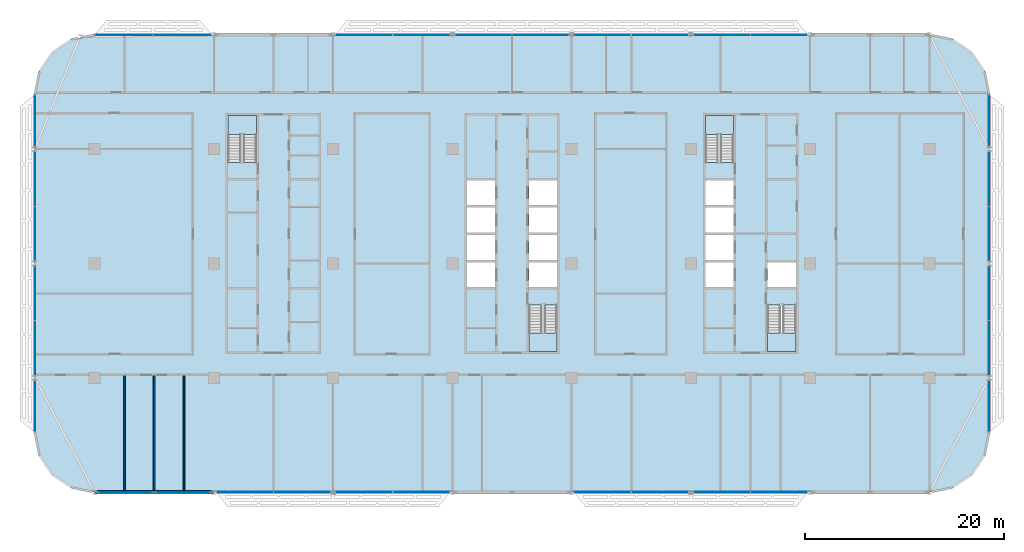
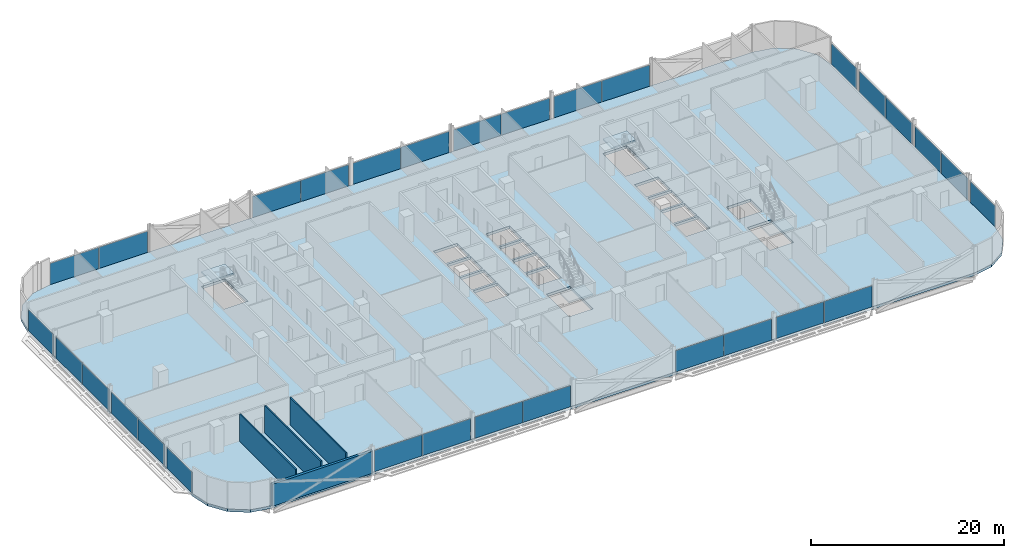
# One storey, part 10 of 27: 30 plates, 5 slabs, 4 walls, 21 elements without a shape of their own.
"""IFC4 building model written with IfcOpenShell, lengths in metres."""

import ifcopenshell
import ifcopenshell.guid

model = None  # the IFC model being written
_history = None  # IfcOwnerHistory: only IFC2X3 demands one
_inside = {}  # id of a spatial element -> (the spatial element, [elements in it])
_under = {}  # id of a project, library or spatial element -> (it, [spatial elements below it])
_declared = {}  # id of a project -> (the project, [libraries it declares])
_typed = {}  # id of a type object -> (the type object, [elements of that type])
_made_of = {}  # id of a material, layer set ... -> (it, [elements and type objects made of it])


def new_model(schema):
    """Start an empty IFC model of exactly this schema.

    Asked for "IFC4X3", IfcOpenShell would pick the latest addendum, in which some entities
    have other attributes; the version numbers below select the first issue.
    IFC2X3 requires an IfcOwnerHistory on every rooted entity: one is made here for all.
    """
    global model, _history
    if schema == "IFC4X3":
        model = ifcopenshell.file(schema_version=(4, 3, 0, 0))
    else:
        model = ifcopenshell.file(schema=schema)
    _inside.clear()
    _under.clear()
    _declared.clear()
    _typed.clear()
    _made_of.clear()
    _history = None
    if model.schema == "IFC2X3":
        org = make("IfcOrganization", Name="unknown")
        user = make(
            "IfcPersonAndOrganization",
            ThePerson=make("IfcPerson", FamilyName="unknown"),
            TheOrganization=org,
        )
        app = make(
            "IfcApplication",
            ApplicationDeveloper=org,
            Version="unknown",
            ApplicationFullName="unknown",
            ApplicationIdentifier="unknown",
        )
        _history = make(
            "IfcOwnerHistory",
            OwningUser=user,
            OwningApplication=app,
            ChangeAction="ADDED",
            CreationDate=0,
        )
    return model


def make(cls, **values):
    """One entity of the class cls with the attributes given. An attribute that is None is left unset."""
    return model.create_entity(
        cls, **{name: value for name, value in values.items() if value is not None}
    )


def rooted(cls, **values):
    """An entity with a GlobalId (a new one), such as an element, a storey or a relation."""
    return make(cls, GlobalId=ifcopenshell.guid.new(), OwnerHistory=_history, **values)


def si_unit(unit_type, name, prefix=None):
    """IfcSIUnit, for example si_unit("LENGTHUNIT", "METRE", prefix="MILLI")."""
    return make("IfcSIUnit", UnitType=unit_type, Prefix=prefix, Name=name)


def assignment(units):
    """IfcUnitAssignment: the units of a project."""
    return None if units is None else make("IfcUnitAssignment", Units=units)


def point(xyz):
    """IfcCartesianPoint."""
    return None if xyz is None else make("IfcCartesianPoint", Coordinates=xyz)


def direction(xyz):
    """IfcDirection."""
    return None if xyz is None else make("IfcDirection", DirectionRatios=xyz)


def frame(location, z_axis=None, x_axis=None):
    """IfcAxis2Placement3D, a coordinate frame: its origin and axes. An axis left out is left unset."""
    return make(
        "IfcAxis2Placement3D",
        Location=point(location),
        Axis=direction(z_axis),
        RefDirection=direction(x_axis),
    )


def frame_2d(location, x_axis=None):
    """IfcAxis2Placement2D, a coordinate frame in the plane: its origin and x axis."""
    return make(
        "IfcAxis2Placement2D", Location=point(location), RefDirection=direction(x_axis)
    )


def origin():
    """The frame at (0, 0, 0) with its axes left unset."""
    return frame((0.0, 0.0, 0.0))


def origin_2d():
    """The frame at (0, 0) in the plane with its x axis left unset."""
    return frame_2d((0.0, 0.0))


def place(relative_to, where):
    """IfcLocalPlacement: puts the frame where relative to a parent placement (None: the world)."""
    return make(
        "IfcLocalPlacement", PlacementRelTo=relative_to, RelativePlacement=where
    )


def context(
    kind, dimensions, precision=None, world=None, true_north=None, identifier=None
):
    """IfcGeometricRepresentationContext, for example the 3D "Model" context."""
    return make(
        "IfcGeometricRepresentationContext",
        ContextIdentifier=identifier,
        ContextType=kind,
        CoordinateSpaceDimension=dimensions,
        Precision=precision,
        WorldCoordinateSystem=world,
        TrueNorth=true_north,
    )


def subcontext(parent, identifier, kind, view, scale=None):
    """IfcGeometricRepresentationSubContext, for example "Body" below "Model"."""
    return make(
        "IfcGeometricRepresentationSubContext",
        ContextIdentifier=identifier,
        ContextType=kind,
        ParentContext=parent,
        TargetScale=scale,
        TargetView=view,
    )


def project(units=None, contexts=None):
    """IfcProject with its units and contexts."""
    return rooted(
        "IfcProject",
        Name="project",
        RepresentationContexts=contexts,
        UnitsInContext=assignment(units),
    )


def spatial(cls, under=None, at=None, **own):
    """A site, building, storey or space (cls), placed at a placement, below another one or the project."""
    s = rooted(cls, ObjectPlacement=at, **own)
    if under is not None:
        _under.setdefault(under.id(), (under, []))[1].append(s)
    return s


def polyline(points):
    """IfcPolyline through the points."""
    return make("IfcPolyline", Points=[point(p) for p in points])


def profile(cls, at=None, kind="AREA", **sizes):
    """A parametric profile (cls). Its sizes go by their IFC names, for example OverallWidth=200.0."""
    return make(cls, ProfileType=kind, Position=at, **sizes)


def rectangle(**sizes):
    """IfcRectangleProfileDef."""
    return profile("IfcRectangleProfileDef", **sizes)


def outline(outer, holes=None, kind="AREA"):
    """IfcArbitraryClosedProfileDef: a profile drawn as a closed curve; with holes, ...WithVoids."""
    if holes is None:
        return make("IfcArbitraryClosedProfileDef", ProfileType=kind, OuterCurve=outer)
    return make(
        "IfcArbitraryProfileDefWithVoids",
        ProfileType=kind,
        OuterCurve=outer,
        InnerCurves=holes,
    )


def extrude(swept, where, along, depth):
    """IfcExtrudedAreaSolid: the profile swept, set in the frame where, extruded along a direction by depth."""
    return make(
        "IfcExtrudedAreaSolid",
        SweptArea=swept,
        Position=where,
        ExtrudedDirection=direction(along),
        Depth=depth,
    )


def shape(context_of_items, identifier, shape_type, items):
    """IfcShapeRepresentation: the items that make up one representation, for example the "Body"."""
    return make(
        "IfcShapeRepresentation",
        ContextOfItems=context_of_items,
        RepresentationIdentifier=identifier,
        RepresentationType=shape_type,
        Items=items,
    )


def material(Name=None, Category=None):
    """IfcMaterial."""
    return make("IfcMaterial", Name=Name, Category=Category)


def layer(
    of_material, thickness, ventilated=None, Name=None, Category=None, Priority=None
):
    """IfcMaterialLayer: one layer of a wall or slab, of a material (None: an air gap)."""
    return make(
        "IfcMaterialLayer",
        Material=of_material,
        LayerThickness=thickness,
        IsVentilated=ventilated,
        Name=Name,
        Category=Category,
        Priority=Priority,
    )


def layer_set(layers, Name=None):
    """IfcMaterialLayerSet."""
    return make("IfcMaterialLayerSet", MaterialLayers=layers, LayerSetName=Name)


def made_of(thing, what):
    """Note that an element or type object is made of a material, layer set ...; save() writes the relation."""
    if what is not None:
        _made_of.setdefault(what.id(), (what, []))[1].append(thing)
    return thing


def type_object(cls, material=None, **own):
    """A type object (cls), such as IfcWallType, which elements share."""
    return made_of(rooted(cls, **own), material)


def element(
    cls,
    number,
    at=None,
    inside=None,
    cuts=None,
    type_object=None,
    material=None,
    context=None,
    identifier="Body",
    shape_type=None,
    held_by="IfcProductDefinitionShape",
    body=None,
    shapes=None,
    **own,
):
    """One element of the class cls, such as IfcWall. Its Tag is "e" and its number.

    at: its placement. inside: the storey or other place that contains it. cuts: it is an
    opening in that element (IfcRelVoidsElement). A single representation is given by context,
    identifier, shape_type and body (its items); several are given by shapes. held_by: the class
    of the entity that holds the representations. save() writes the other relations.
    """
    e = rooted(cls, Tag="e%d" % number, ObjectPlacement=at, **own)
    if body is not None:
        shapes = [shape(context, identifier, shape_type, body)]
    if shapes is not None:
        e.Representation = make(held_by, Representations=shapes)
    if inside is not None:
        _inside.setdefault(inside.id(), (inside, []))[1].append(e)
    if cuts is not None:
        rooted(
            "IfcRelVoidsElement", RelatingBuildingElement=cuts, RelatedOpeningElement=e
        )
    if type_object is not None:
        _typed.setdefault(type_object.id(), (type_object, []))[1].append(e)
    return made_of(e, material)


def aggregate(whole, parts):
    """IfcRelAggregates: a whole, such as a stair, and the parts it consists of."""
    return rooted("IfcRelAggregates", RelatingObject=whole, RelatedObjects=parts)


def save(model, path):
    """Write the relations noted so far, then the file.

    IfcRelAggregates (storeys below a building ...), IfcRelContainedInSpatialStructure (elements
    in a storey), IfcRelDefinesByType, IfcRelAssociatesMaterial and IfcRelDeclares: one each for
    every whole, place, type object, material and project.
    """
    for whole, parts in _under.values():
        aggregate(whole, parts)
    for where, things in _inside.values():
        rooted(
            "IfcRelContainedInSpatialStructure",
            RelatedElements=things,
            RelatingStructure=where,
        )
    for kind, things in _typed.values():
        rooted("IfcRelDefinesByType", RelatedObjects=things, RelatingType=kind)
    for what, things in _made_of.values():
        rooted("IfcRelAssociatesMaterial", RelatedObjects=things, RelatingMaterial=what)
    for by, libraries in _declared.values():
        rooted("IfcRelDeclares", RelatingContext=by, RelatedDefinitions=libraries)
    model.write(path)


model = new_model("IFC4")

# Units and contexts
model_context = context("Model", 3, precision=1e-05, world=origin(), true_north=direction((0.0, 1.0)))
body_context = subcontext(model_context, "Body", "Model", "MODEL_VIEW")
ifc_project = project(units=[si_unit("LENGTHUNIT", "METRE"), si_unit("AREAUNIT", "SQUARE_METRE"), si_unit("VOLUMEUNIT", "CUBIC_METRE"), si_unit("PLANEANGLEUNIT", "RADIAN"), si_unit("MASSUNIT", "GRAM", prefix="KILO")], contexts=[model_context])

# Site, building, storey
site_placement = place(None, origin())
site = spatial("IfcSite", under=ifc_project, at=site_placement, CompositionType="ELEMENT")
building_placement = place(site_placement, origin())
building = spatial("IfcBuilding", under=site, at=building_placement, Name="Mahtab Terrace Research Tower", CompositionType="ELEMENT")
storey_placement = place(building_placement, frame((0.0, 0.0, 182.0)))
storey = spatial("IfcBuildingStorey", under=building, at=storey_placement, Name="L43", CompositionType="ELEMENT", Elevation=182.0)

# Stair, slab
ifc_material_1 = material(Name="Exit stair half-turn")
stair_type = type_object("IfcStairType", Name="Exit stair half-turn", PredefinedType="HALF_TURN_STAIR", material=ifc_material_1)
stair_1_placement = place(storey_placement, origin())
stair_1 = element("IfcStair", 1, at=stair_1_placement, inside=storey, type_object=stair_type, Name="L43 Protected exit stair ST1", PredefinedType="HALF_TURN_STAIR")
ifc_material_2 = material(Name="Concrete C40/50", Category="concrete")
ifc_layer_1 = layer(ifc_material_2, 0.199951171875)
ifc_layer_set_1 = layer_set([ifc_layer_1], Name="Exit stair landing 200")
slab_type_1 = type_object("IfcSlabType", Name="Exit stair landing 200", PredefinedType="LANDING", material=ifc_layer_set_1)
slab_1_placement = place(storey_placement, frame((0.0, 0.0, 1.699951171875)))
slab_1 = element("IfcSlab", 2, at=slab_1_placement, type_object=slab_type_1, Name="ST1 landing 1", PredefinedType="LANDING", context=body_context, shape_type="SweptSolid", body=[
    extrude(outline(polyline([(-25.699951171875, 12.97509765625), (-25.699951171875, 14.875), (-28.550048828125, 14.875), (-28.550048828125, 12.97509765625), (-25.699951171875, 12.97509765625)])), origin(), (0.0, 0.0, 1.0), 0.199951171875),
])
aggregate(stair_1, [slab_1])

stair_2_placement = place(storey_placement, origin())
stair_2 = element("IfcStair", 3, at=stair_2_placement, inside=storey, type_object=stair_type, Name="L43 Protected exit stair ST2", PredefinedType="HALF_TURN_STAIR")
slab_2_placement = place(storey_placement, frame((0.0, 0.0, 1.699951171875)))
slab_2 = element("IfcSlab", 4, at=slab_2_placement, type_object=slab_type_1, Name="ST2 landing 1", PredefinedType="LANDING", context=body_context, shape_type="SweptSolid", body=[
    extrude(outline(polyline([(1.699951171875, -6.97509765625), (1.699951171875, -8.875), (4.550048828125, -8.875), (4.550048828125, -6.97509765625), (1.699951171875, -6.97509765625)])), origin(), (0.0, 0.0, 1.0), 0.199951171875),
])
aggregate(stair_2, [slab_2])

stair_3_placement = place(storey_placement, origin())
stair_3 = element("IfcStair", 5, at=stair_3_placement, inside=storey, type_object=stair_type, Name="L43 Protected exit stair ST3", PredefinedType="HALF_TURN_STAIR")
slab_3_placement = place(storey_placement, frame((0.0, 0.0, 1.699951171875)))
slab_3 = element("IfcSlab", 6, at=slab_3_placement, type_object=slab_type_1, Name="ST3 landing 1", PredefinedType="LANDING", context=body_context, shape_type="SweptSolid", body=[
    extrude(outline(polyline([(22.300048828125, 12.97509765625), (22.300048828125, 14.875), (19.449951171875, 14.875), (19.449951171875, 12.97509765625), (22.300048828125, 12.97509765625)])), origin(), (0.0, 0.0, 1.0), 0.199951171875),
])
aggregate(stair_3, [slab_3])

stair_4_placement = place(storey_placement, origin())
stair_4 = element("IfcStair", 7, at=stair_4_placement, inside=storey, type_object=stair_type, Name="L43 Protected exit stair ST4", PredefinedType="HALF_TURN_STAIR")
slab_4_placement = place(storey_placement, frame((0.0, 0.0, 1.699951171875)))
slab_4 = element("IfcSlab", 8, at=slab_4_placement, type_object=slab_type_1, Name="ST4 landing 1", PredefinedType="LANDING", context=body_context, shape_type="SweptSolid", body=[
    extrude(outline(polyline([(25.699951171875, -6.97509765625), (25.699951171875, -8.875), (28.550048828125, -8.875), (28.550048828125, -6.97509765625), (25.699951171875, -6.97509765625)])), origin(), (0.0, 0.0, 1.0), 0.199951171875),
])
aggregate(stair_4, [slab_4])

# Curtain wall, plates
ifc_material_3 = material(Name="Laboratory ribbon curtain wall")
curtain_wall_type = type_object("IfcCurtainWallType", Name="Laboratory ribbon curtain wall", PredefinedType="NOTDEFINED", material=ifc_material_3)
curtain_wall_1_placement = place(storey_placement, origin())
curtain_wall_1 = element("IfcCurtainWall", 9, at=curtain_wall_1_placement, inside=storey, type_object=curtain_wall_type, Name="EN.L43.3.4", PredefinedType="NOTDEFINED")
ifc_material_4 = material(Name="Dark glazing", Category="glass")
ifc_layer_2 = layer(ifc_material_4, 0.031982421875)
ifc_layer_set_2 = layer_set([ifc_layer_2], Name="Laboratory ribbon curtain wall glazing panel")
plate_type = type_object("IfcPlateType", Name="Laboratory ribbon curtain wall glazing panel", PredefinedType="CURTAIN_PANEL", material=ifc_layer_set_2)
plate_1_placement = place(storey_placement, frame((26.879638671875, 23.0, 0.0), z_axis=(0.0, 0.0, 1.0), x_axis=(-1.0, 0.0, 0.0)))
plate_1 = element("IfcPlate", 10, at=plate_1_placement, type_object=plate_type, Name="CWL-5 panel 1", PredefinedType="CURTAIN_PANEL", context=body_context, shape_type="SweptSolid", body=[
    extrude(rectangle(XDim=5.694580078125, YDim=0.031982421875, at=origin_2d()), origin(), (0.0, 0.0, 1.0), 2.681884765625),
])
plate_2_placement = place(storey_placement, frame((21.120361328125, 23.0, 0.0), z_axis=(0.0, 0.0, 1.0), x_axis=(-1.0, 0.0, 0.0)))
plate_2 = element("IfcPlate", 11, at=plate_2_placement, type_object=plate_type, Name="CWL-5 panel 2", PredefinedType="CURTAIN_PANEL", context=body_context, shape_type="SweptSolid", body=[
    extrude(rectangle(XDim=5.694580078125, YDim=0.031982421875, at=origin_2d()), origin(), (0.0, 0.0, 1.0), 2.681884765625),
])
aggregate(curtain_wall_1, [plate_1, plate_2])

curtain_wall_2_placement = place(storey_placement, origin())
curtain_wall_2 = element("IfcCurtainWall", 12, at=curtain_wall_2_placement, inside=storey, type_object=curtain_wall_type, Name="EN.L43.3.5", PredefinedType="NOTDEFINED")
plate_3_placement = place(storey_placement, frame((14.879638671875, 23.0, 0.0), z_axis=(0.0, 0.0, 1.0), x_axis=(-1.0, 0.0, 0.0)))
plate_3 = element("IfcPlate", 13, at=plate_3_placement, type_object=plate_type, Name="CWL-5 panel 1", PredefinedType="CURTAIN_PANEL", context=body_context, shape_type="SweptSolid", body=[
    extrude(rectangle(XDim=5.694580078125, YDim=0.031982421875, at=origin_2d()), origin(), (0.0, 0.0, 1.0), 2.681884765625),
])
plate_4_placement = place(storey_placement, frame((9.120361328125, 23.0, 0.0), z_axis=(0.0, 0.0, 1.0), x_axis=(-1.0, 0.0, 0.0)))
plate_4 = element("IfcPlate", 14, at=plate_4_placement, type_object=plate_type, Name="CWL-5 panel 2", PredefinedType="CURTAIN_PANEL", context=body_context, shape_type="SweptSolid", body=[
    extrude(rectangle(XDim=5.694580078125, YDim=0.031982421875, at=origin_2d()), origin(), (0.0, 0.0, 1.0), 2.681884765625),
])
aggregate(curtain_wall_2, [plate_3, plate_4])

curtain_wall_3_placement = place(storey_placement, origin())
curtain_wall_3 = element("IfcCurtainWall", 15, at=curtain_wall_3_placement, inside=storey, type_object=curtain_wall_type, Name="EN.L43.3.6", PredefinedType="NOTDEFINED")
plate_5_placement = place(storey_placement, frame((2.879638671875, 23.0, 0.0), z_axis=(0.0, 0.0, 1.0), x_axis=(-1.0, 0.0, 0.0)))
plate_5 = element("IfcPlate", 16, at=plate_5_placement, type_object=plate_type, Name="CWL-5 panel 1", PredefinedType="CURTAIN_PANEL", context=body_context, shape_type="SweptSolid", body=[
    extrude(rectangle(XDim=5.694580078125, YDim=0.031982421875, at=origin_2d()), origin(), (0.0, 0.0, 1.0), 2.681884765625),
])
plate_6_placement = place(storey_placement, frame((-2.879638671875, 23.0, 0.0), z_axis=(0.0, 0.0, 1.0), x_axis=(-1.0, 0.0, 0.0)))
plate_6 = element("IfcPlate", 17, at=plate_6_placement, type_object=plate_type, Name="CWL-5 panel 2", PredefinedType="CURTAIN_PANEL", context=body_context, shape_type="SweptSolid", body=[
    extrude(rectangle(XDim=5.694580078125, YDim=0.031982421875, at=origin_2d()), origin(), (0.0, 0.0, 1.0), 2.681884765625),
])
aggregate(curtain_wall_3, [plate_5, plate_6])

curtain_wall_4_placement = place(storey_placement, origin())
curtain_wall_4 = element("IfcCurtainWall", 18, at=curtain_wall_4_placement, inside=storey, type_object=curtain_wall_type, Name="EN.L43.3.7", PredefinedType="NOTDEFINED")
plate_7_placement = place(storey_placement, frame((-9.120361328125, 23.0, 0.0), z_axis=(0.0, 0.0, 1.0), x_axis=(-1.0, 0.0, 0.0)))
plate_7 = element("IfcPlate", 19, at=plate_7_placement, type_object=plate_type, Name="CWL-5 panel 1", PredefinedType="CURTAIN_PANEL", context=body_context, shape_type="SweptSolid", body=[
    extrude(rectangle(XDim=5.694580078125, YDim=0.031982421875, at=origin_2d()), origin(), (0.0, 0.0, 1.0), 2.681884765625),
])
plate_8_placement = place(storey_placement, frame((-14.879638671875, 23.0, 0.0), z_axis=(0.0, 0.0, 1.0), x_axis=(-1.0, 0.0, 0.0)))
plate_8 = element("IfcPlate", 20, at=plate_8_placement, type_object=plate_type, Name="CWL-5 panel 2", PredefinedType="CURTAIN_PANEL", context=body_context, shape_type="SweptSolid", body=[
    extrude(rectangle(XDim=5.694580078125, YDim=0.031982421875, at=origin_2d()), origin(), (0.0, 0.0, 1.0), 2.681884765625),
])
aggregate(curtain_wall_4, [plate_7, plate_8])

curtain_wall_5_placement = place(storey_placement, origin())
curtain_wall_5 = element("IfcCurtainWall", 21, at=curtain_wall_5_placement, inside=storey, type_object=curtain_wall_type, Name="EN.L43.3.9", PredefinedType="NOTDEFINED")
plate_9_placement = place(storey_placement, frame((-33.17236328125, 23.0, 0.0), z_axis=(0.0, 0.0, 1.0), x_axis=(-1.0, 0.0, 0.0)))
plate_9 = element("IfcPlate", 22, at=plate_9_placement, type_object=plate_type, Name="CWL-5 panel 1", PredefinedType="CURTAIN_PANEL", context=body_context, shape_type="SweptSolid", body=[
    extrude(rectangle(XDim=5.798583984375, YDim=0.031982421875, at=origin_2d()), origin(), (0.0, 0.0, 1.0), 2.681884765625),
])
plate_10_placement = place(storey_placement, frame((-39.03564453125, 23.0, 0.0), z_axis=(0.0, 0.0, 1.0), x_axis=(-1.0, 0.0, 0.0)))
plate_10 = element("IfcPlate", 23, at=plate_10_placement, type_object=plate_type, Name="CWL-5 panel 2", PredefinedType="CURTAIN_PANEL", context=body_context, shape_type="SweptSolid", body=[
    extrude(rectangle(XDim=5.798583984375, YDim=0.031982421875, at=origin_2d()), origin(), (0.0, 0.0, 1.0), 2.681884765625),
])
aggregate(curtain_wall_5, [plate_9, plate_10])

# Curtain wall, plate
curtain_wall_6_placement = place(storey_placement, origin())
curtain_wall_6 = element("IfcCurtainWall", 24, at=curtain_wall_6_placement, inside=storey, type_object=curtain_wall_type, Name="EN.L43.8.15", PredefinedType="NOTDEFINED")
plate_11_placement = place(storey_placement, frame((-48.0, 14.35400390625, 0.0), z_axis=(0.0, 0.0, 1.0), x_axis=(0.0, -1.0, 0.0)))
plate_11 = element("IfcPlate", 25, at=plate_11_placement, type_object=plate_type, Name="CWL-5 panel 1", PredefinedType="CURTAIN_PANEL", context=body_context, shape_type="SweptSolid", body=[
    extrude(rectangle(XDim=5.162109375, YDim=0.031982421875, at=origin_2d()), origin(), (0.0, 0.0, 1.0), 2.681884765625),
])
aggregate(curtain_wall_6, [plate_11])

# Curtain wall, plates
curtain_wall_7_placement = place(storey_placement, origin())
curtain_wall_7 = element("IfcCurtainWall", 26, at=curtain_wall_7_placement, inside=storey, type_object=curtain_wall_type, Name="EN.L43.8.16", PredefinedType="NOTDEFINED")
plate_12_placement = place(storey_placement, frame((-48.0, 8.504638671875, 0.0), z_axis=(0.0, 0.0, 1.0), x_axis=(0.0, -1.0, 0.0)))
plate_12 = element("IfcPlate", 27, at=plate_12_placement, type_object=plate_type, Name="CWL-5 panel 1", PredefinedType="CURTAIN_PANEL", context=body_context, shape_type="SweptSolid", body=[
    extrude(rectangle(XDim=5.444580078125, YDim=0.031982421875, at=origin_2d()), origin(), (0.0, 0.0, 1.0), 2.681884765625),
])
plate_13_placement = place(storey_placement, frame((-48.0, 2.995361328125, 0.0), z_axis=(0.0, 0.0, 1.0), x_axis=(0.0, -1.0, 0.0)))
plate_13 = element("IfcPlate", 28, at=plate_13_placement, type_object=plate_type, Name="CWL-5 panel 2", PredefinedType="CURTAIN_PANEL", context=body_context, shape_type="SweptSolid", body=[
    extrude(rectangle(XDim=5.444580078125, YDim=0.031982421875, at=origin_2d()), origin(), (0.0, 0.0, 1.0), 2.681884765625),
])
aggregate(curtain_wall_7, [plate_12, plate_13])

curtain_wall_8_placement = place(storey_placement, origin())
curtain_wall_8 = element("IfcCurtainWall", 29, at=curtain_wall_8_placement, inside=storey, type_object=curtain_wall_type, Name="EN.L43.8.17", PredefinedType="NOTDEFINED")
plate_14_placement = place(storey_placement, frame((-48.0, -2.995361328125, 0.0), z_axis=(0.0, 0.0, 1.0), x_axis=(0.0, -1.0, 0.0)))
plate_14 = element("IfcPlate", 30, at=plate_14_placement, type_object=plate_type, Name="CWL-5 panel 1", PredefinedType="CURTAIN_PANEL", context=body_context, shape_type="SweptSolid", body=[
    extrude(rectangle(XDim=5.444580078125, YDim=0.031982421875, at=origin_2d()), origin(), (0.0, 0.0, 1.0), 2.681884765625),
])
plate_15_placement = place(storey_placement, frame((-48.0, -8.504638671875, 0.0), z_axis=(0.0, 0.0, 1.0), x_axis=(0.0, -1.0, 0.0)))
plate_15 = element("IfcPlate", 31, at=plate_15_placement, type_object=plate_type, Name="CWL-5 panel 2", PredefinedType="CURTAIN_PANEL", context=body_context, shape_type="SweptSolid", body=[
    extrude(rectangle(XDim=5.444580078125, YDim=0.031982421875, at=origin_2d()), origin(), (0.0, 0.0, 1.0), 2.681884765625),
])
aggregate(curtain_wall_8, [plate_14, plate_15])

# Curtain wall, plate
curtain_wall_9_placement = place(storey_placement, origin())
curtain_wall_9 = element("IfcCurtainWall", 32, at=curtain_wall_9_placement, inside=storey, type_object=curtain_wall_type, Name="EN.L43.8.18", PredefinedType="NOTDEFINED")
plate_16_placement = place(storey_placement, frame((-48.0, -14.35400390625, 0.0), z_axis=(0.0, 0.0, 1.0), x_axis=(0.0, -1.0, 0.0)))
plate_16 = element("IfcPlate", 33, at=plate_16_placement, type_object=plate_type, Name="CWL-5 panel 1", PredefinedType="CURTAIN_PANEL", context=body_context, shape_type="SweptSolid", body=[
    extrude(rectangle(XDim=5.162109375, YDim=0.031982421875, at=origin_2d()), origin(), (0.0, 0.0, 1.0), 2.681884765625),
])
aggregate(curtain_wall_9, [plate_16])

# Curtain wall, plates
curtain_wall_10_placement = place(storey_placement, origin())
curtain_wall_10 = element("IfcCurtainWall", 34, at=curtain_wall_10_placement, inside=storey, type_object=curtain_wall_type, Name="EN.L43.13.24", PredefinedType="NOTDEFINED")
plate_17_placement = place(storey_placement, frame((-26.879638671875, -23.0, 0.0), z_axis=(0.0, 0.0, 1.0), x_axis=(1.0, 0.0, 0.0)))
plate_17 = element("IfcPlate", 35, at=plate_17_placement, type_object=plate_type, Name="CWL-5 panel 1", PredefinedType="CURTAIN_PANEL", context=body_context, shape_type="SweptSolid", body=[
    extrude(rectangle(XDim=5.694580078125, YDim=0.031982421875, at=origin_2d()), origin(), (0.0, 0.0, 1.0), 2.681884765625),
])
plate_18_placement = place(storey_placement, frame((-21.120361328125, -23.0, 0.0), z_axis=(0.0, 0.0, 1.0), x_axis=(1.0, 0.0, 0.0)))
plate_18 = element("IfcPlate", 36, at=plate_18_placement, type_object=plate_type, Name="CWL-5 panel 2", PredefinedType="CURTAIN_PANEL", context=body_context, shape_type="SweptSolid", body=[
    extrude(rectangle(XDim=5.694580078125, YDim=0.031982421875, at=origin_2d()), origin(), (0.0, 0.0, 1.0), 2.681884765625),
])
aggregate(curtain_wall_10, [plate_17, plate_18])

curtain_wall_11_placement = place(storey_placement, origin())
curtain_wall_11 = element("IfcCurtainWall", 37, at=curtain_wall_11_placement, inside=storey, type_object=curtain_wall_type, Name="EN.L43.13.25", PredefinedType="NOTDEFINED")
plate_19_placement = place(storey_placement, frame((-14.879638671875, -23.0, 0.0), z_axis=(0.0, 0.0, 1.0), x_axis=(1.0, 0.0, 0.0)))
plate_19 = element("IfcPlate", 38, at=plate_19_placement, type_object=plate_type, Name="CWL-5 panel 1", PredefinedType="CURTAIN_PANEL", context=body_context, shape_type="SweptSolid", body=[
    extrude(rectangle(XDim=5.694580078125, YDim=0.031982421875, at=origin_2d()), origin(), (0.0, 0.0, 1.0), 2.681884765625),
])
plate_20_placement = place(storey_placement, frame((-9.120361328125, -23.0, 0.0), z_axis=(0.0, 0.0, 1.0), x_axis=(1.0, 0.0, 0.0)))
plate_20 = element("IfcPlate", 39, at=plate_20_placement, type_object=plate_type, Name="CWL-5 panel 2", PredefinedType="CURTAIN_PANEL", context=body_context, shape_type="SweptSolid", body=[
    extrude(rectangle(XDim=5.694580078125, YDim=0.031982421875, at=origin_2d()), origin(), (0.0, 0.0, 1.0), 2.681884765625),
])
aggregate(curtain_wall_11, [plate_19, plate_20])

curtain_wall_12_placement = place(storey_placement, origin())
curtain_wall_12 = element("IfcCurtainWall", 40, at=curtain_wall_12_placement, inside=storey, type_object=curtain_wall_type, Name="EN.L43.13.27", PredefinedType="NOTDEFINED")
plate_21_placement = place(storey_placement, frame((9.120361328125, -23.0, 0.0), z_axis=(0.0, 0.0, 1.0), x_axis=(1.0, 0.0, 0.0)))
plate_21 = element("IfcPlate", 41, at=plate_21_placement, type_object=plate_type, Name="CWL-5 panel 1", PredefinedType="CURTAIN_PANEL", context=body_context, shape_type="SweptSolid", body=[
    extrude(rectangle(XDim=5.694580078125, YDim=0.031982421875, at=origin_2d()), origin(), (0.0, 0.0, 1.0), 2.681884765625),
])
plate_22_placement = place(storey_placement, frame((14.879638671875, -23.0, 0.0), z_axis=(0.0, 0.0, 1.0), x_axis=(1.0, 0.0, 0.0)))
plate_22 = element("IfcPlate", 42, at=plate_22_placement, type_object=plate_type, Name="CWL-5 panel 2", PredefinedType="CURTAIN_PANEL", context=body_context, shape_type="SweptSolid", body=[
    extrude(rectangle(XDim=5.694580078125, YDim=0.031982421875, at=origin_2d()), origin(), (0.0, 0.0, 1.0), 2.681884765625),
])
aggregate(curtain_wall_12, [plate_21, plate_22])

curtain_wall_13_placement = place(storey_placement, origin())
curtain_wall_13 = element("IfcCurtainWall", 43, at=curtain_wall_13_placement, inside=storey, type_object=curtain_wall_type, Name="EN.L43.13.28", PredefinedType="NOTDEFINED")
plate_23_placement = place(storey_placement, frame((21.120361328125, -23.0, 0.0), z_axis=(0.0, 0.0, 1.0), x_axis=(1.0, 0.0, 0.0)))
plate_23 = element("IfcPlate", 44, at=plate_23_placement, type_object=plate_type, Name="CWL-5 panel 1", PredefinedType="CURTAIN_PANEL", context=body_context, shape_type="SweptSolid", body=[
    extrude(rectangle(XDim=5.694580078125, YDim=0.031982421875, at=origin_2d()), origin(), (0.0, 0.0, 1.0), 2.681884765625),
])
plate_24_placement = place(storey_placement, frame((26.879638671875, -23.0, 0.0), z_axis=(0.0, 0.0, 1.0), x_axis=(1.0, 0.0, 0.0)))
plate_24 = element("IfcPlate", 45, at=plate_24_placement, type_object=plate_type, Name="CWL-5 panel 2", PredefinedType="CURTAIN_PANEL", context=body_context, shape_type="SweptSolid", body=[
    extrude(rectangle(XDim=5.694580078125, YDim=0.031982421875, at=origin_2d()), origin(), (0.0, 0.0, 1.0), 2.681884765625),
])
aggregate(curtain_wall_13, [plate_23, plate_24])

# Curtain wall, plate
curtain_wall_14_placement = place(storey_placement, origin())
curtain_wall_14 = element("IfcCurtainWall", 46, at=curtain_wall_14_placement, inside=storey, type_object=curtain_wall_type, Name="EN.L43.18.34", PredefinedType="NOTDEFINED")
plate_25_placement = place(storey_placement, frame((48.0, -14.35400390625, 0.0), z_axis=(0.0, 0.0, 1.0), x_axis=(0.0, 1.0, 0.0)))
plate_25 = element("IfcPlate", 47, at=plate_25_placement, type_object=plate_type, Name="CWL-5 panel 1", PredefinedType="CURTAIN_PANEL", context=body_context, shape_type="SweptSolid", body=[
    extrude(rectangle(XDim=5.162109375, YDim=0.031982421875, at=origin_2d()), origin(), (0.0, 0.0, 1.0), 2.681884765625),
])
aggregate(curtain_wall_14, [plate_25])

# Curtain wall, plates
curtain_wall_15_placement = place(storey_placement, origin())
curtain_wall_15 = element("IfcCurtainWall", 48, at=curtain_wall_15_placement, inside=storey, type_object=curtain_wall_type, Name="EN.L43.18.35", PredefinedType="NOTDEFINED")
plate_26_placement = place(storey_placement, frame((48.0, -8.504638671875, 0.0), z_axis=(0.0, 0.0, 1.0), x_axis=(0.0, 1.0, 0.0)))
plate_26 = element("IfcPlate", 49, at=plate_26_placement, type_object=plate_type, Name="CWL-5 panel 1", PredefinedType="CURTAIN_PANEL", context=body_context, shape_type="SweptSolid", body=[
    extrude(rectangle(XDim=5.444580078125, YDim=0.031982421875, at=origin_2d()), origin(), (0.0, 0.0, 1.0), 2.681884765625),
])
plate_27_placement = place(storey_placement, frame((48.0, -2.995361328125, 0.0), z_axis=(0.0, 0.0, 1.0), x_axis=(0.0, 1.0, 0.0)))
plate_27 = element("IfcPlate", 50, at=plate_27_placement, type_object=plate_type, Name="CWL-5 panel 2", PredefinedType="CURTAIN_PANEL", context=body_context, shape_type="SweptSolid", body=[
    extrude(rectangle(XDim=5.444580078125, YDim=0.031982421875, at=origin_2d()), origin(), (0.0, 0.0, 1.0), 2.681884765625),
])
aggregate(curtain_wall_15, [plate_26, plate_27])

curtain_wall_16_placement = place(storey_placement, origin())
curtain_wall_16 = element("IfcCurtainWall", 51, at=curtain_wall_16_placement, inside=storey, type_object=curtain_wall_type, Name="EN.L43.18.36", PredefinedType="NOTDEFINED")
plate_28_placement = place(storey_placement, frame((48.0, 2.995361328125, 0.0), z_axis=(0.0, 0.0, 1.0), x_axis=(0.0, 1.0, 0.0)))
plate_28 = element("IfcPlate", 52, at=plate_28_placement, type_object=plate_type, Name="CWL-5 panel 1", PredefinedType="CURTAIN_PANEL", context=body_context, shape_type="SweptSolid", body=[
    extrude(rectangle(XDim=5.444580078125, YDim=0.031982421875, at=origin_2d()), origin(), (0.0, 0.0, 1.0), 2.681884765625),
])
plate_29_placement = place(storey_placement, frame((48.0, 8.504638671875, 0.0), z_axis=(0.0, 0.0, 1.0), x_axis=(0.0, 1.0, 0.0)))
plate_29 = element("IfcPlate", 53, at=plate_29_placement, type_object=plate_type, Name="CWL-5 panel 2", PredefinedType="CURTAIN_PANEL", context=body_context, shape_type="SweptSolid", body=[
    extrude(rectangle(XDim=5.444580078125, YDim=0.031982421875, at=origin_2d()), origin(), (0.0, 0.0, 1.0), 2.681884765625),
])
aggregate(curtain_wall_16, [plate_28, plate_29])

# Curtain wall, plate
curtain_wall_17_placement = place(storey_placement, origin())
curtain_wall_17 = element("IfcCurtainWall", 54, at=curtain_wall_17_placement, inside=storey, type_object=curtain_wall_type, Name="EN.L43.18.37", PredefinedType="NOTDEFINED")
plate_30_placement = place(storey_placement, frame((48.0, 14.35400390625, 0.0), z_axis=(0.0, 0.0, 1.0), x_axis=(0.0, 1.0, 0.0)))
plate_30 = element("IfcPlate", 55, at=plate_30_placement, type_object=plate_type, Name="CWL-5 panel 1", PredefinedType="CURTAIN_PANEL", context=body_context, shape_type="SweptSolid", body=[
    extrude(rectangle(XDim=5.162109375, YDim=0.031982421875, at=origin_2d()), origin(), (0.0, 0.0, 1.0), 2.681884765625),
])
aggregate(curtain_wall_17, [plate_30])

# Slab
ifc_layer_3 = layer(ifc_material_2, 0.340087890625)
ifc_layer_set_3 = layer_set([ifc_layer_3], Name="PT flat slab 340")
slab_type_2 = type_object("IfcSlabType", Name="PT flat slab 340", PredefinedType="FLOOR", material=ifc_layer_set_3)
slab_5_placement = place(storey_placement, frame((0.0, 0.0, -0.340087890625)))
element("IfcSlab", 56, at=slab_5_placement, inside=storey, type_object=slab_type_2, Name="Floor slab L43", PredefinedType="FLOOR", context=body_context, shape_type="SweptSolid", body=[
    extrude(outline(polyline([(47.54296875, 19.2958984375), (46.242919921875, 21.242919921875), (44.2958984375, 22.54296875), (42.0, 23.0), (-42.0, 23.0), (-44.2958984375, 22.54296875), (-46.242919921875, 21.242919921875), (-47.54296875, 19.2958984375), (-48.0, 17.0), (-48.0, -17.0), (-47.54296875, -19.2958984375), (-46.242919921875, -21.242919921875), (-44.2958984375, -22.54296875), (-42.0, -23.0), (42.0, -23.0), (44.2958984375, -22.54296875), (46.242919921875, -21.242919921875), (47.54296875, -19.2958984375), (48.0, -17.0), (48.0, 17.0), (47.54296875, 19.2958984375)]), holes=[polyline([(-4.550048828125, -2.375), (-4.550048828125, 0.125), (-1.699951171875, 0.125), (-1.699951171875, -2.375), (-4.550048828125, -2.375)]), polyline([(1.699951171875, -2.375), (1.699951171875, 0.125), (4.550048828125, 0.125), (4.550048828125, -2.375), (1.699951171875, -2.375)]), polyline([(-4.550048828125, 0.375), (-4.550048828125, 2.875), (-1.699951171875, 2.875), (-1.699951171875, 0.375), (-4.550048828125, 0.375)]), polyline([(1.699951171875, 0.375), (1.699951171875, 2.875), (4.550048828125, 2.875), (4.550048828125, 0.375), (1.699951171875, 0.375)]), polyline([(-4.550048828125, 3.125), (-4.550048828125, 5.625), (-1.699951171875, 5.625), (-1.699951171875, 3.125), (-4.550048828125, 3.125)]), polyline([(1.699951171875, 3.125), (1.699951171875, 5.625), (4.550048828125, 5.625), (4.550048828125, 3.125), (1.699951171875, 3.125)]), polyline([(-4.550048828125, 5.875), (-4.550048828125, 8.375), (-1.699951171875, 8.375), (-1.699951171875, 5.875), (-4.550048828125, 5.875)]), polyline([(1.699951171875, 5.875), (1.699951171875, 8.375), (4.550048828125, 8.375), (4.550048828125, 5.875), (1.699951171875, 5.875)]), polyline([(-28.550048828125, 10.177001953125), (-28.550048828125, 14.875), (-25.699951171875, 14.875), (-25.699951171875, 10.177001953125), (-28.550048828125, 10.177001953125)]), polyline([(1.699951171875, -8.875), (1.699951171875, -4.177001953125), (4.550048828125, -4.177001953125), (4.550048828125, -8.875), (1.699951171875, -8.875)]), polyline([(25.699951171875, -8.875), (25.699951171875, -4.177001953125), (28.550048828125, -4.177001953125), (28.550048828125, -8.875), (25.699951171875, -8.875)]), polyline([(19.449951171875, -2.375), (19.449951171875, 0.125), (22.300048828125, 0.125), (22.300048828125, -2.375), (19.449951171875, -2.375)]), polyline([(25.699951171875, -2.375), (25.699951171875, 0.125), (28.550048828125, 0.125), (28.550048828125, -2.375), (25.699951171875, -2.375)]), polyline([(19.449951171875, 0.375), (19.449951171875, 2.875), (22.300048828125, 2.875), (22.300048828125, 0.375), (19.449951171875, 0.375)]), polyline([(19.449951171875, 3.125), (19.449951171875, 5.625), (22.300048828125, 5.625), (22.300048828125, 3.125), (19.449951171875, 3.125)]), polyline([(19.449951171875, 8.375), (22.300048828125, 8.375), (22.300048828125, 5.875), (19.449951171875, 5.875), (19.449951171875, 8.375)]), polyline([(19.449951171875, 14.875), (22.300048828125, 14.875), (22.300048828125, 10.177001953125), (19.449951171875, 10.177001953125), (19.449951171875, 14.875)])]), origin(), (0.0, 0.0, 1.0), 0.340087890625),
])

# Walls
ifc_material_5 = material(Name="Black aluminium cladding panel", Category="aluminium")
ifc_layer_4 = layer(ifc_material_5, 0.300048828125)
ifc_layer_set_4 = layer_set([ifc_layer_4], Name="Opaque facade wall 300")
wall_type_1 = type_object("IfcWallType", Name="Opaque facade wall 300", PredefinedType="NOTDEFINED", material=ifc_layer_set_4)
wall_placement = place(storey_placement, frame((-41.985107421875, -23.0, 0.0), z_axis=(0.0, 0.0, 1.0), x_axis=(1.0, 0.0, 0.0)))
element("IfcWall", 57, at=wall_placement, inside=storey, type_object=wall_type_1, Name="Opaque facade wall L43 S23", PredefinedType="NOTDEFINED", context=body_context, shape_type="SweptSolid", body=[
    extrude(rectangle(XDim=11.97021484375, YDim=0.300048828125, at=frame_2d((5.985107421875, 0.0))), origin(), (0.0, 0.0, 1.0), 2.78173828125),
])
ifc_material_6 = material(Name="Gypsum board partition on steel studs", Category="steel")
ifc_layer_5 = layer(ifc_material_6, 0.14990234375)
ifc_layer_set_5 = layer_set([ifc_layer_5], Name="WALL PARTITION 150")
wall_type_2 = type_object("IfcWallType", Name="WALL PARTITION 150", PredefinedType="PARTITIONING", material=ifc_layer_set_5)
for number, where, z_axis, x_axis, name in (
    (58, (-39.0, -22.85009765625, 0.0), (0.0, 0.0, 1.0), (0.0, 1.0, 0.0), "L43-W027"),
    (59, (-36.0, -22.85009765625, 0.0), (0.0, 0.0, 1.0), (0.0, 1.0, 0.0), "L43-W029"),
    (60, (-33.0, -22.85009765625, 0.0), (0.0, 0.0, 1.0), (0.0, 1.0, 0.0), "L43-W030"),
):
    element("IfcWall", number, at=place(storey_placement, frame(where, z_axis=z_axis, x_axis=x_axis)), inside=storey, type_object=wall_type_2, Name=name, PredefinedType="PARTITIONING", context=body_context, shape_type="SweptSolid", body=[
        extrude(rectangle(XDim=11.550048828125, YDim=0.14990234375, at=frame_2d((5.77490234375, 0.0))), origin(), (0.0, 0.0, 1.0), 3.4599609375),
    ])

save(model, "model.ifc")
